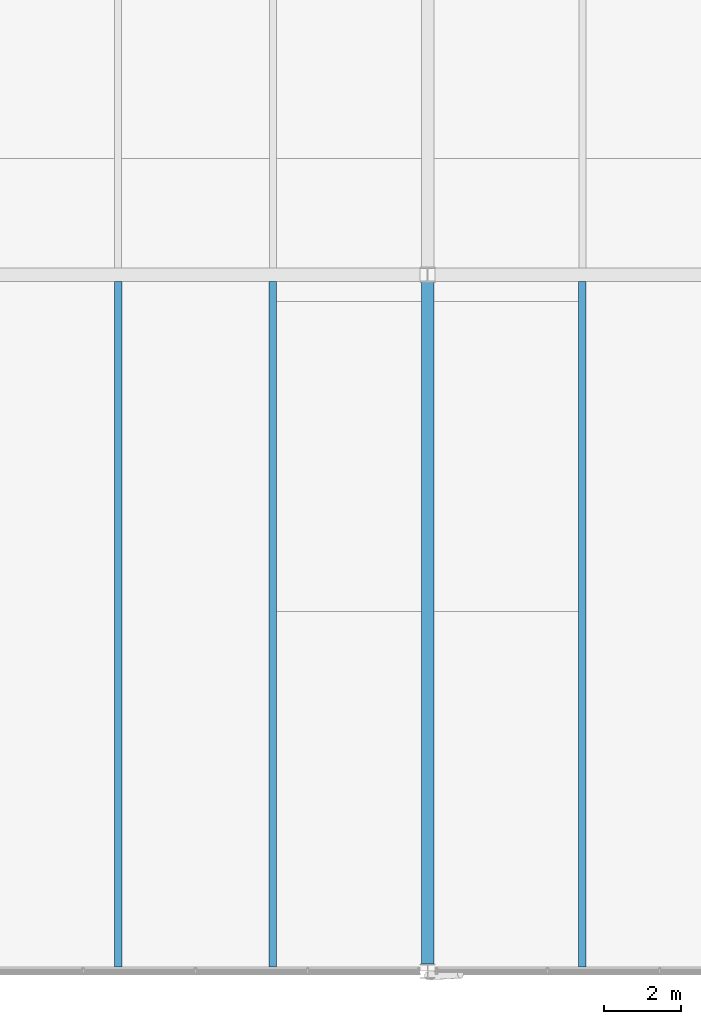
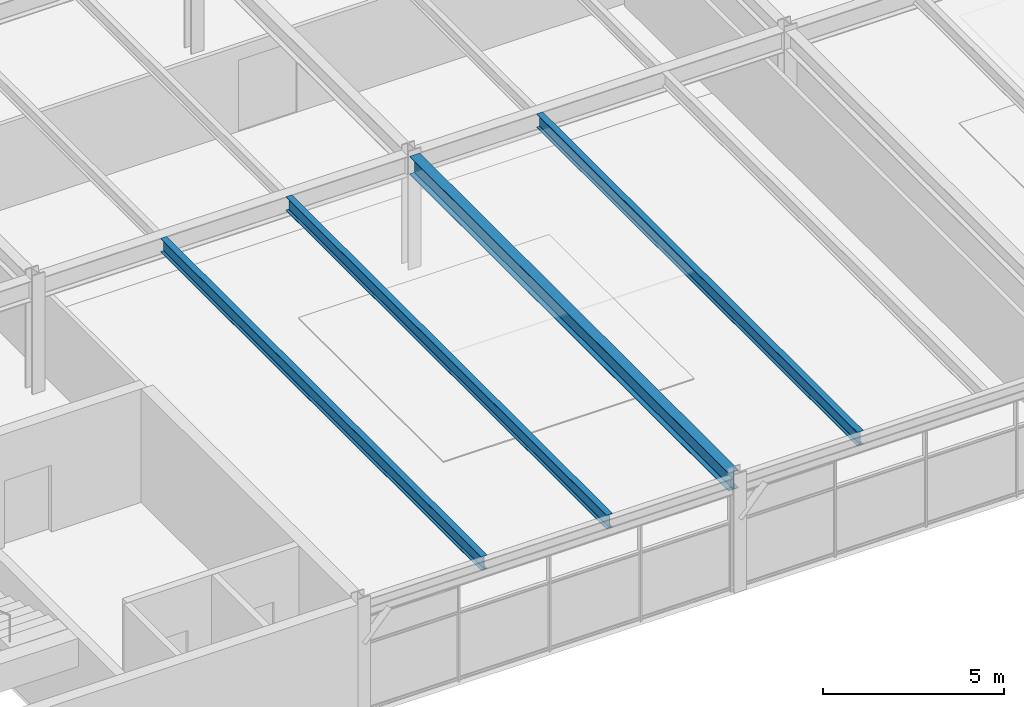
# One storey, part 29 of 51: 4 beams.
"""IFC4 building model written with IfcOpenShell, lengths in metres."""

from ifc_helpers import new_model, si_unit, direction, frame, origin, origin_2d, place, context, subcontext, project, spatial, i_section, extrude, material, material_profile, profile_set, type_object, element, save


model = new_model("IFC4")

# Units and contexts
model_context = context("Model", 3, precision=1e-05, world=origin(), true_north=direction((0.0, 1.0)))
body_context = subcontext(model_context, "Body", "Model", "MODEL_VIEW")
ifc_project = project(units=[si_unit("LENGTHUNIT", "METRE"), si_unit("AREAUNIT", "SQUARE_METRE"), si_unit("VOLUMEUNIT", "CUBIC_METRE"), si_unit("PLANEANGLEUNIT", "RADIAN"), si_unit("MASSUNIT", "GRAM", prefix="KILO")], contexts=[model_context])

# Site, building, storey
site_placement = place(None, origin())
site = spatial("IfcSite", under=ifc_project, at=site_placement, CompositionType="ELEMENT")
building_placement = place(site_placement, origin())
building = spatial("IfcBuilding", under=site, at=building_placement, Name="Girod Span Mobility Hub", CompositionType="ELEMENT")
storey_placement = place(building_placement, frame((0.0, 0.0, 41.60009765625)))
storey = spatial("IfcBuildingStorey", under=building, at=storey_placement, Name="L10", CompositionType="ELEMENT", Elevation=41.60009765625)

# Beams
ifc_material_1 = material(Name="Steel A992 Grade 50", Category="steel")
ifc_material_profile_1 = material_profile(ifc_material_1, i_section(OverallWidth=0.19189453125, OverallDepth=0.462890625, WebThickness=0.010498046875, FlangeThickness=0.017578125, FilletRadius=0.013916015625, at=origin_2d()), Name="W18X60")
ifc_profile_set_1 = profile_set([ifc_material_profile_1], Name="Steel A992 Grade 50")
beam_type_1 = type_object("IfcBeamType", Name="BM-STL-W18X60", PredefinedType="BEAM", material=ifc_profile_set_1)
for number, where, z_axis, x_axis, name in (
    (1, (88.0, 27.10302734375, 3.593505859375), (0.0, 1.0, 0.0), (-1.0, 0.0, 0.0), "Composite Floorbeam 8/C-1 L10"),
    (2, (92.0, 27.10302734375, 3.593505859375), (0.0, 1.0, 0.0), (-1.0, 0.0, 0.0), "Composite Floorbeam 8/C-2 L10"),
    (3, (100.0, 27.10302734375, 3.593505859375), (0.0, 1.0, 0.0), (-1.0, 0.0, 0.0), "Composite Floorbeam 9/C-1 L10"),
):
    element("IfcBeam", number, at=place(storey_placement, frame(where, z_axis=z_axis, x_axis=x_axis)), inside=storey, type_object=beam_type_1, Name=name, PredefinedType="BEAM", context=body_context, shape_type="SweptSolid", body=[
        extrude(i_section(OverallWidth=0.19189453125, OverallDepth=0.462890625, WebThickness=0.010498046875, FlangeThickness=0.017578125, FilletRadius=0.013916015625, at=origin_2d()), origin(), (0.0, 0.0, 1.0), 17.722412109375),
    ])
ifc_material_2 = material(Name="Steel A992 Grade 50", Category="steel")
ifc_material_profile_2 = material_profile(ifc_material_2, i_section(OverallWidth=0.323974609375, OverallDepth=0.611083984375, WebThickness=0.0126953125, FlangeThickness=0.01904296875, FilletRadius=0.014892578125, at=origin_2d()), Name="W24X104")
ifc_profile_set_2 = profile_set([ifc_material_profile_2], Name="Steel A992 Grade 50")
beam_type_2 = type_object("IfcBeamType", Name="BM-STL-W24X104", PredefinedType="BEAM", material=ifc_profile_set_2)
beam_placement = place(storey_placement, frame((96.0, 27.1845703125, 3.519287109375), z_axis=(0.0, 1.0, 0.0), x_axis=(-1.0, 0.0, 0.0)))
element("IfcBeam", 4, at=beam_placement, inside=storey, type_object=beam_type_2, Name="Tie Girder 9/C-D L10", PredefinedType="BEAM", context=body_context, shape_type="SweptSolid", body=[
    extrude(i_section(OverallWidth=0.323974609375, OverallDepth=0.611083984375, WebThickness=0.0126953125, FlangeThickness=0.01904296875, FilletRadius=0.014892578125, at=origin_2d()), origin(), (0.0, 0.0, 1.0), 17.621826171875),
])

save(model, "model.ifc")
